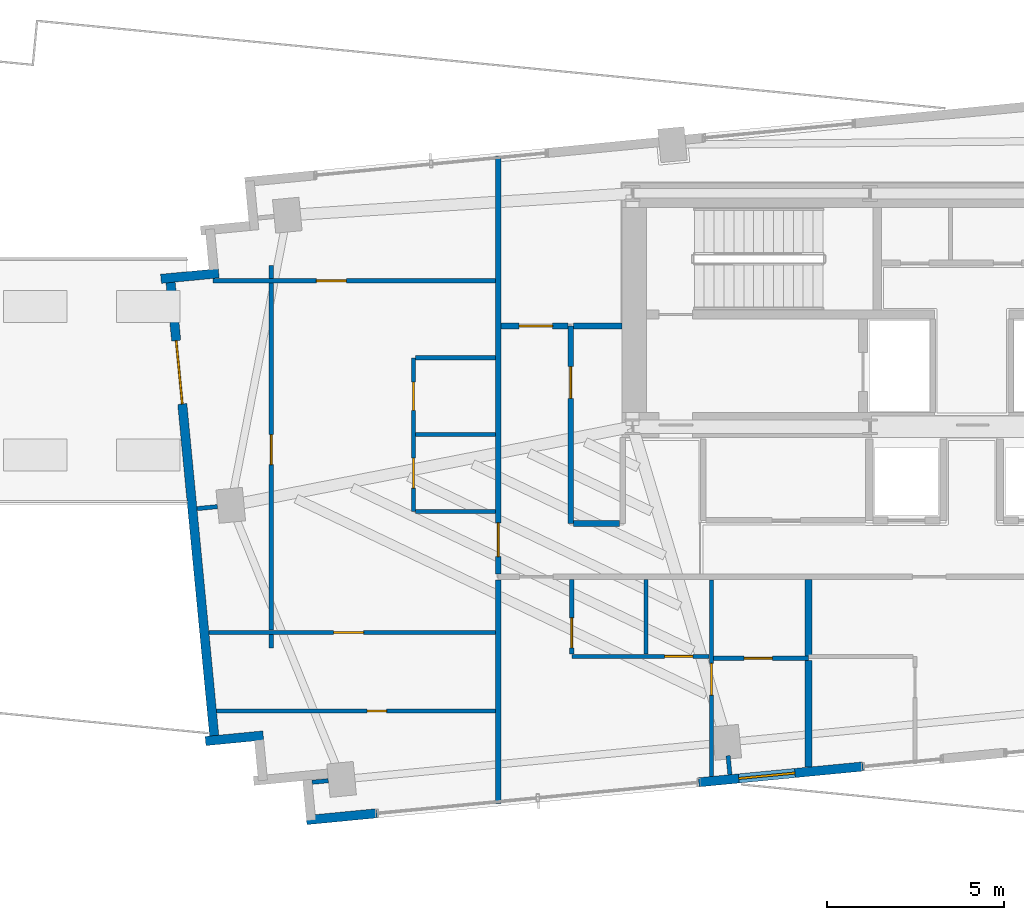
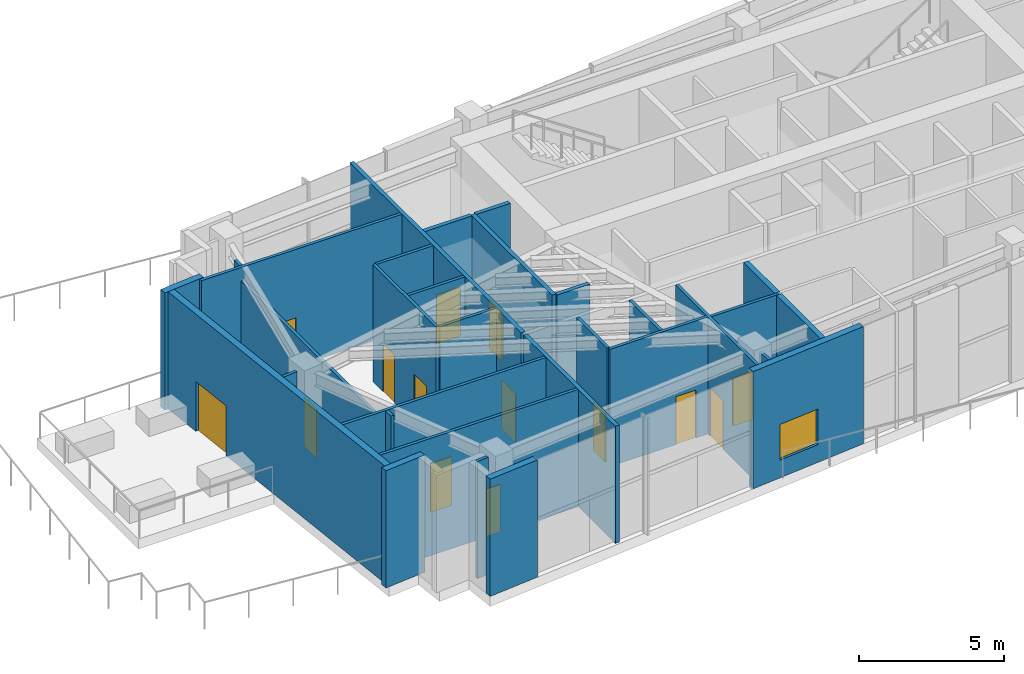
# One storey, part 14 of 21: 31 walls, 14 doors, 1 window, 15 openings.
"""IFC4 building model written with IfcOpenShell, lengths in metres."""

from ifc_helpers import new_model, si_unit, direction, frame, frame_2d, origin, place, context, subcontext, project, spatial, rectangle, extrude, source, transform, mapped, material, layer, layer_set, type_object, type_shapes, element, fill, save


model = new_model("IFC4")

# Units and contexts
model_context = context("Model", 3, precision=1e-05, world=origin(), true_north=direction((0.0, 1.0)))
body_context = subcontext(model_context, "Body", "Model", "MODEL_VIEW")
ifc_project = project(units=[si_unit("LENGTHUNIT", "METRE"), si_unit("AREAUNIT", "SQUARE_METRE"), si_unit("VOLUMEUNIT", "CUBIC_METRE"), si_unit("PLANEANGLEUNIT", "RADIAN"), si_unit("MASSUNIT", "GRAM", prefix="KILO")], contexts=[model_context])

# Site, building, storey
site_placement = place(None, origin())
site = spatial("IfcSite", under=ifc_project, at=site_placement, CompositionType="ELEMENT")
building_placement = place(site_placement, origin())
building = spatial("IfcBuilding", under=site, at=building_placement, Name="Astriad Promenade Condominiums", CompositionType="ELEMENT")
storey_placement = place(building_placement, frame((0.0, 0.0, 167.800048828125)))
storey = spatial("IfcBuildingStorey", under=building, at=storey_placement, Name="L48", CompositionType="ELEMENT", Elevation=167.800048828125)

# Wall
ifc_material_1 = material(Name="Fire-Rated Gypsum Partition")
ifc_layer_1 = layer(ifc_material_1, 0.159912109375)
ifc_layer_set_1 = layer_set([ifc_layer_1], Name="Fire-Rated Gypsum Partition")
wall_type_1 = type_object("IfcWallType", Name="WALL-CORR-160", PredefinedType="PARTITIONING", material=ifc_layer_set_1)
wall_1_placement = place(storey_placement, frame((22.60009765625, 6.739501953125, 0.0), z_axis=(0.0, 0.0, 1.0), x_axis=(0.0, 1.0, 0.0)))
element("IfcWall", 1, at=wall_1_placement, inside=storey, type_object=wall_type_1, Name="PT-COR-W-L48", PredefinedType="PARTITIONING", context=body_context, shape_type="SweptSolid", body=[
    extrude(rectangle(XDim=6.32861328125, YDim=0.159912109375, at=frame_2d((3.164306640625, 0.0))), origin(), (0.0, 0.0, 1.0), 4.93994140625),
])

# Wall, opening, door
wall_2_placement = place(storey_placement, frame((22.60009765625, 13.23193359375, 0.0), z_axis=(0.0, 0.0, 1.0), x_axis=(0.0, 1.0, 0.0)))
wall_2 = element("IfcWall", 2, at=wall_2_placement, inside=storey, type_object=wall_type_1, Name="PT-COR-W-L48-S2", PredefinedType="PARTITIONING", context=body_context, shape_type="SweptSolid", body=[
    extrude(rectangle(XDim=11.831787109375, YDim=0.159912109375, at=frame_2d((5.916015625, 0.0))), origin(), (0.0, 0.0, 1.0), 4.93994140625),
])
opening_1_placement = place(wall_2_placement, frame((0.492919921875, 0.0, 0.0)))
opening_1 = element("IfcOpeningElement", 3, at=opening_1_placement, cuts=wall_2, Name="Opening FD60-APT-095", PredefinedType="OPENING", context=body_context, shape_type="SweptSolid", body=[
    extrude(rectangle(XDim=0.949951171875, YDim=2.06005859375, at=frame_2d((0.47509765625, 1.030029296875))), frame((0.0, 0.08984375, 0.0), z_axis=(0.0, -1.0, 0.0), x_axis=(1.0, 0.0, 0.0)), (0.0, 0.0, 1.0), 0.179931640625),
])
ifc_material_2 = material(Name="Solid-Core Acoustic Timber Residence Entry Door", Category="wood")
door_type_1 = type_object("IfcDoorType", Name="FD60-APT-095", OperationType="NOTDEFINED", PredefinedType="DOOR", material=ifc_material_2)
shared_shape_1 = source(origin(), body_context, "Body", "SweptSolid", [
    extrude(rectangle(XDim=0.949951171875, YDim=2.06005859375, at=frame_2d((0.47509765625, 1.030029296875))), frame((0.0, 0.02490234375, 0.0), z_axis=(0.0, -1.0, 0.0), x_axis=(1.0, 0.0, 0.0)), (0.0, 0.0, 1.0), 0.050048828125),
])
type_shapes(door_type_1, [shared_shape_1])
door_1_placement = place(opening_1_placement, origin())
door_1 = element("IfcDoor", 4, at=door_1_placement, inside=storey, type_object=door_type_1, Name="D-ENT-L48-W1", OperationType="SINGLE_SWING_RIGHT", OverallHeight=2.06005859375, OverallWidth=0.949951171875, PredefinedType="DOOR", context=body_context, shape_type="MappedRepresentation", body=[
    mapped(shared_shape_1, transform((0.0, 0.0, 0.0), scale=1.0)),
])
fill(opening_1, door_1)

wall_3_placement = place(storey_placement, frame((24.64990234375, 14.659912109375, 0.0), z_axis=(0.0, 0.0, 1.0), x_axis=(0.0, 1.0, 0.0)))
wall_3 = element("IfcWall", 5, at=wall_3_placement, inside=storey, type_object=wall_type_1, Name="PT-HK-E-L48", PredefinedType="PARTITIONING", context=body_context, shape_type="SweptSolid", body=[
    extrude(rectangle(XDim=5.590087890625, YDim=0.159912109375, at=frame_2d((2.794921875, 0.0))), origin(), (0.0, 0.0, 1.0), 4.93994140625),
])
opening_2_placement = place(wall_3_placement, frame((3.5400390625, 0.0, 0.0)))
opening_2 = element("IfcOpeningElement", 6, at=opening_2_placement, cuts=wall_3, Name="Opening D-INT-090", PredefinedType="OPENING", context=body_context, shape_type="SweptSolid", body=[
    extrude(rectangle(XDim=0.89990234375, YDim=2.050048828125, at=frame_2d((0.449951171875, 1.02490234375))), frame((0.0, 0.08984375, 0.0), z_axis=(0.0, -1.0, 0.0), x_axis=(1.0, 0.0, 0.0)), (0.0, 0.0, 1.0), 0.179931640625),
])
ifc_material_3 = material(Name="Painted Solid-Core Timber Bedroom Door", Category="wood")
door_type_2 = type_object("IfcDoorType", Name="D-INT-090", OperationType="NOTDEFINED", PredefinedType="DOOR", material=ifc_material_3)
shared_shape_2 = source(origin(), body_context, "Body", "SweptSolid", [
    extrude(rectangle(XDim=0.89990234375, YDim=2.050048828125, at=frame_2d((0.449951171875, 1.02490234375))), frame((0.0, 0.02490234375, 0.0), z_axis=(0.0, -1.0, 0.0), x_axis=(1.0, 0.0, 0.0)), (0.0, 0.0, 1.0), 0.050048828125),
])
type_shapes(door_type_2, [shared_shape_2])
door_2_placement = place(opening_2_placement, origin())
door_2 = element("IfcDoor", 7, at=door_2_placement, inside=storey, type_object=door_type_2, Name="D-AWC-L48", OperationType="SINGLE_SWING_RIGHT", OverallHeight=2.050048828125, OverallWidth=0.89990234375, PredefinedType="DOOR", context=body_context, shape_type="MappedRepresentation", body=[
    mapped(shared_shape_2, transform((0.0, 0.0, 0.0), scale=1.0)),
])
fill(opening_2, door_2)

wall_4_placement = place(storey_placement, frame((22.681884765625, 20.25, 0.0), z_axis=(0.0, 0.0, 1.0), x_axis=(1.0, 0.0, 0.0)))
wall_4 = element("IfcWall", 8, at=wall_4_placement, inside=storey, type_object=wall_type_1, Name="PT-HK-N-L48", PredefinedType="PARTITIONING", context=body_context, shape_type="SweptSolid", body=[
    extrude(rectangle(XDim=1.88623046875, YDim=0.159912109375, at=frame_2d((0.943115234375, 0.0))), origin(), (0.0, 0.0, 1.0), 4.93994140625),
])
opening_3_placement = place(wall_4_placement, frame((0.508056640625, 0.0, 0.0)))
opening_3 = element("IfcOpeningElement", 9, at=opening_3_placement, cuts=wall_4, Name="Opening FD60-APT-095", PredefinedType="OPENING", context=body_context, shape_type="SweptSolid", body=[
    extrude(rectangle(XDim=0.949951171875, YDim=2.06005859375, at=frame_2d((0.47509765625, 1.030029296875))), frame((0.0, 0.08984375, 0.0), z_axis=(0.0, -1.0, 0.0), x_axis=(1.0, 0.0, 0.0)), (0.0, 0.0, 1.0), 0.179931640625),
])
door_3_placement = place(opening_3_placement, origin())
door_3 = element("IfcDoor", 10, at=door_3_placement, inside=storey, type_object=door_type_1, Name="D-HKB-L48", OperationType="SINGLE_SWING_LEFT", OverallHeight=2.06005859375, OverallWidth=0.949951171875, PredefinedType="DOOR", context=body_context, shape_type="MappedRepresentation", body=[
    mapped(shared_shape_1, transform((0.0, 0.0, 0.0), scale=1.0)),
])
fill(opening_3, door_3)

# Walls
wall_5_placement = place(storey_placement, frame((24.73193359375, 20.25, 0.0), z_axis=(0.0, 0.0, 1.0), x_axis=(1.0, 0.0, 0.0)))
element("IfcWall", 11, at=wall_5_placement, inside=storey, type_object=wall_type_1, Name="PT-HK-N-L48-S2", PredefinedType="PARTITIONING", context=body_context, shape_type="SweptSolid", body=[
    extrude(rectangle(XDim=1.365966796875, YDim=0.159912109375, at=frame_2d((0.68310546875, 0.0))), origin(), (0.0, 0.0, 1.0), 4.93994140625),
])
wall_6_placement = place(storey_placement, frame((24.73193359375, 14.659912109375, 0.0), z_axis=(0.0, 0.0, 1.0), x_axis=(1.0, 0.0, 0.0)))
element("IfcWall", 12, at=wall_6_placement, inside=storey, type_object=wall_type_1, Name="PT-HK-S-L48", PredefinedType="PARTITIONING", context=body_context, shape_type="SweptSolid", body=[
    extrude(rectangle(XDim=1.30615234375, YDim=0.159912109375, at=frame_2d((0.653076171875, 0.0))), origin(), (0.0, 0.0, 1.0), 4.93994140625),
])
ifc_material_4 = material(Name="Acoustic Double-Stud Gypsum Partition")
ifc_layer_2 = layer(ifc_material_4, 0.199951171875)
ifc_layer_set_2 = layer_set([ifc_layer_2], Name="Acoustic Double-Stud Gypsum Partition")
wall_type_2 = type_object("IfcWallType", Name="WALL-DEMISING-200", PredefinedType="PARTITIONING", material=ifc_layer_set_2)
wall_7_placement = place(storey_placement, frame((31.384033203125, 7.76806640625, 0.0), z_axis=(0.0, 0.0, 1.0), x_axis=(0.0, 1.0, 0.0)))
element("IfcWall", 13, at=wall_7_placement, inside=storey, type_object=wall_type_2, Name="PT-DEM-S1-L48", PredefinedType="PARTITIONING", context=body_context, shape_type="SweptSolid", body=[
    extrude(rectangle(XDim=3.02001953125, YDim=0.199951171875, at=frame_2d((1.510009765625, 0.0))), origin(), (0.0, 0.0, 1.0), 4.93994140625),
])
wall_8_placement = place(storey_placement, frame((31.384033203125, 10.912109375, 0.0), z_axis=(0.0, 0.0, 1.0), x_axis=(0.0, 1.0, 0.0)))
element("IfcWall", 14, at=wall_8_placement, inside=storey, type_object=wall_type_2, Name="PT-DEM-S1-L48-S2", PredefinedType="PARTITIONING", context=body_context, shape_type="SweptSolid", body=[
    extrude(rectangle(XDim=2.156005859375, YDim=0.199951171875, at=frame_2d((1.078125, 0.0))), origin(), (0.0, 0.0, 1.0), 4.93994140625),
])
ifc_material_5 = material(Name="Precast concrete C50/60", Category="concrete")
ifc_layer_3 = layer(ifc_material_5, 0.260009765625)
ifc_layer_set_3 = layer_set([ifc_layer_3], Name="Precast concrete C50/60")
wall_type_3 = type_object("IfcWallType", Name="WALL-EXT-TWR-260", PredefinedType="STANDARD", material=ifc_layer_set_3)
wall_9_placement = place(storey_placement, frame((15.9501953125, 8.660888671875, 0.0), z_axis=(0.0, 0.0, 1.0), x_axis=(-0.995394563142, -0.095862733462, 0.0)))
element("IfcWall", 15, at=wall_9_placement, inside=storey, type_object=wall_type_3, Name="W-SER-L48-02", PredefinedType="STANDARD", context=body_context, shape_type="SweptSolid", body=[
    extrude(rectangle(XDim=1.64013671875, YDim=0.260009765625, at=frame_2d((0.820068359375, 0.0))), origin(), (0.0, 0.0, 1.0), 4.93994140625),
])

# Wall, opening, door
wall_10_placement = place(storey_placement, frame((14.589111328125, 8.3994140625, 0.0), z_axis=(0.0, 0.0, 1.0), x_axis=(-0.095853703289, 0.995395432763, 0.0)))
wall_10 = element("IfcWall", 16, at=wall_10_placement, inside=storey, type_object=wall_type_3, Name="W-SG-L48-W", PredefinedType="STANDARD", context=body_context, shape_type="SweptSolid", body=[
    extrude(rectangle(XDim=13.39990234375, YDim=0.260009765625, at=frame_2d((6.699951171875, 0.0))), origin(), (0.0, 0.0, 1.0), 4.93994140625),
])
opening_4_placement = place(wall_10_placement, frame((9.68798828125, 0.0, 0.0)))
opening_4 = element("IfcOpeningElement", 17, at=opening_4_placement, cuts=wall_10, Name="Opening SGD-1823-SKY", PredefinedType="OPENING", context=body_context, shape_type="SweptSolid", body=[
    extrude(rectangle(XDim=1.800048828125, YDim=2.10009765625, at=frame_2d((0.89990234375, 1.050048828125))), frame((0.0, 0.139892578125, 0.0), z_axis=(0.0, -1.0, 0.0), x_axis=(1.0, 0.0, 0.0)), (0.0, 0.0, 1.0), 0.280029296875),
])
ifc_material_6 = material(Name="Thermally Broken Aluminium Sky-Garden Door", Category="aluminium")
door_type_3 = type_object("IfcDoorType", Name="SGD-1823-SKY", OperationType="NOTDEFINED", PredefinedType="DOOR", material=ifc_material_6)
shared_shape_3 = source(origin(), body_context, "Body", "SweptSolid", [
    extrude(rectangle(XDim=1.800048828125, YDim=2.10009765625, at=frame_2d((0.89990234375, 1.050048828125))), frame((0.0, 0.02490234375, 0.0), z_axis=(0.0, -1.0, 0.0), x_axis=(1.0, 0.0, 0.0)), (0.0, 0.0, 1.0), 0.050048828125),
])
type_shapes(door_type_3, [shared_shape_3])
door_4_placement = place(opening_4_placement, origin())
door_4 = element("IfcDoor", 18, at=door_4_placement, inside=storey, type_object=door_type_3, Name="SGD-L48", OperationType="DOUBLE_DOOR_SINGLE_SWING", OverallHeight=2.10009765625, OverallWidth=1.800048828125, PredefinedType="DOOR", context=body_context, shape_type="MappedRepresentation", body=[
    mapped(shared_shape_3, transform((0.0, 0.0, 0.0), scale=1.0)),
])
fill(opening_4, door_4)

# Wall
wall_11_placement = place(storey_placement, frame((13.058349609375, 21.583251953125, 0.0), z_axis=(0.0, 0.0, 1.0), x_axis=(0.995394563142, 0.095862733462, 0.0)))
element("IfcWall", 19, at=wall_11_placement, inside=storey, type_object=wall_type_3, Name="W-SER-L48-04", PredefinedType="STANDARD", context=body_context, shape_type="SweptSolid", body=[
    extrude(rectangle(XDim=1.64013671875, YDim=0.260009765625, at=frame_2d((0.820068359375, 0.0))), origin(), (0.0, 0.0, 1.0), 4.93994140625),
])

# Wall, opening, window
wall_12_placement = place(storey_placement, frame((32.92236328125, 7.78369140625, 0.0), z_axis=(0.0, 0.0, 1.0), x_axis=(-0.995393403839, -0.095874770371, 0.0)))
wall_12 = element("IfcWall", 20, at=wall_12_placement, inside=storey, type_object=wall_type_3, Name="W-SGCOL-L48-S-5", PredefinedType="STANDARD", context=body_context, shape_type="SweptSolid", body=[
    extrude(rectangle(XDim=4.670166015625, YDim=0.260009765625, at=frame_2d((2.3349609375, 0.0))), origin(), (0.0, 0.0, 1.0), 4.93994140625),
])
opening_5_placement = place(wall_12_placement, frame((1.93310546875, 0.0, 0.75)))
opening_5 = element("IfcOpeningElement", 21, at=opening_5_placement, cuts=wall_12, Name="Opening WIN-TWR-1620", PredefinedType="OPENING", context=body_context, shape_type="SweptSolid", body=[
    extrude(rectangle(XDim=1.60009765625, YDim=1.5, at=frame_2d((0.800048828125, 0.75))), frame((0.0, 0.139892578125, 0.0), z_axis=(0.0, -1.0, 0.0), x_axis=(1.0, 0.0, 0.0)), (0.0, 0.0, 1.0), 0.280029296875),
])
ifc_material_7 = material(Name="Dark Tinted Triple-Glazed Aluminium Window", Category="aluminium")
window_type = type_object("IfcWindowType", Name="WIN-TWR-1620", PartitioningType="SINGLE_PANEL", PredefinedType="WINDOW", material=ifc_material_7)
shared_shape_4 = source(origin(), body_context, "Body", "SweptSolid", [
    extrude(rectangle(XDim=1.60009765625, YDim=1.5, at=frame_2d((0.800048828125, 0.75))), frame((0.0, 0.030029296875, 0.0), z_axis=(0.0, -1.0, 0.0), x_axis=(1.0, 0.0, 0.0)), (0.0, 0.0, 1.0), 0.06005859375),
])
type_shapes(window_type, [shared_shape_4])
window_placement = place(opening_5_placement, origin())
window = element("IfcWindow", 22, at=window_placement, inside=storey, type_object=window_type, Name="WIN-DW-L48-S1-BD1", OverallHeight=1.5, OverallWidth=1.60009765625, PartitioningType="SINGLE_PANEL", PredefinedType="WINDOW", context=body_context, shape_type="MappedRepresentation", body=[
    mapped(shared_shape_4, transform((0.0, 0.0, 0.0), scale=1.0)),
])
fill(opening_5, window)

# Wall
wall_13_placement = place(storey_placement, frame((19.166015625, 6.458984375, 0.0), z_axis=(0.0, 0.0, 1.0), x_axis=(-0.995397839199, -0.095828710298, 0.0)))
element("IfcWall", 23, at=wall_13_placement, inside=storey, type_object=wall_type_3, Name="W-SGCOL-L48-S-6", PredefinedType="STANDARD", context=body_context, shape_type="SweptSolid", body=[
    extrude(rectangle(XDim=2.0, YDim=0.260009765625, at=frame_2d((1.0, 0.0))), origin(), (0.0, 0.0, 1.0), 4.93994140625),
])

# Wall, opening, door
ifc_material_8 = material(Name="Acoustic Metal-Stud Gypsum Partition")
ifc_layer_4 = layer(ifc_material_8, 0.1201171875)
ifc_layer_set_4 = layer_set([ifc_layer_4], Name="Acoustic Metal-Stud Gypsum Partition")
wall_type_4 = type_object("IfcWallType", Name="WALL-PART-120", PredefinedType="PARTITIONING", material=ifc_layer_set_4)
wall_14_placement = place(storey_placement, frame((28.634033203125, 7.50341796875, 0.0), z_axis=(0.0, 0.0, 1.0), x_axis=(0.0, 1.0, 0.0)))
wall_14 = element("IfcWall", 24, at=wall_14_placement, inside=storey, type_object=wall_type_4, Name="PT-L48-S1-BD1", PredefinedType="PARTITIONING", context=body_context, shape_type="SweptSolid", body=[
    extrude(rectangle(XDim=5.564697265625, YDim=0.1201171875, at=frame_2d((2.7822265625, 0.0))), origin(), (0.0, 0.0, 1.0), 4.93994140625),
])
opening_6_placement = place(wall_14_placement, frame((2.296630859375, 0.0, 0.0)))
opening_6 = element("IfcOpeningElement", 25, at=opening_6_placement, cuts=wall_14, Name="Opening D-INT-090", PredefinedType="OPENING", context=body_context, shape_type="SweptSolid", body=[
    extrude(rectangle(XDim=0.89990234375, YDim=2.050048828125, at=frame_2d((0.449951171875, 1.02490234375))), frame((0.0, 0.070068359375, 0.0), z_axis=(0.0, -1.0, 0.0), x_axis=(1.0, 0.0, 0.0)), (0.0, 0.0, 1.0), 0.14013671875),
])
door_5_placement = place(opening_6_placement, origin())
door_5 = element("IfcDoor", 26, at=door_5_placement, inside=storey, type_object=door_type_2, Name="D-BD1-L48-S1", OperationType="SINGLE_SWING_RIGHT", OverallHeight=2.050048828125, OverallWidth=0.89990234375, PredefinedType="DOOR", context=body_context, shape_type="MappedRepresentation", body=[
    mapped(shared_shape_2, transform((0.0, 0.0, 0.0), scale=1.0)),
])
fill(opening_6, door_5)

wall_15_placement = place(storey_placement, frame((24.68408203125, 10.89990234375, 0.0), z_axis=(0.0, 0.0, 1.0), x_axis=(1.0, 0.0, 0.0)))
wall_15 = element("IfcWall", 27, at=wall_15_placement, inside=storey, type_object=wall_type_4, Name="PT-L48-S1-PS", PredefinedType="PARTITIONING", context=body_context, shape_type="SweptSolid", body=[
    extrude(rectangle(XDim=3.887939453125, YDim=0.1201171875, at=frame_2d((1.94384765625, 0.0))), origin(), (0.0, 0.0, 1.0), 4.93994140625),
])
opening_7_placement = place(wall_15_placement, frame((2.625, 0.0, 0.0)))
opening_7 = element("IfcOpeningElement", 28, at=opening_7_placement, cuts=wall_15, Name="Opening D-WET-080", PredefinedType="OPENING", context=body_context, shape_type="SweptSolid", body=[
    extrude(rectangle(XDim=0.800048828125, YDim=2.02001953125, at=frame_2d((0.39990234375, 1.010009765625))), frame((0.0, 0.070068359375, 0.0), z_axis=(0.0, -1.0, 0.0), x_axis=(1.0, 0.0, 0.0)), (0.0, 0.0, 1.0), 0.14013671875),
])
ifc_material_9 = material(Name="Moisture-Resistant Timber Bathroom Door", Category="wood")
door_type_4 = type_object("IfcDoorType", Name="D-WET-080", OperationType="NOTDEFINED", PredefinedType="DOOR", material=ifc_material_9)
shared_shape_5 = source(origin(), body_context, "Body", "SweptSolid", [
    extrude(rectangle(XDim=0.800048828125, YDim=2.02001953125, at=frame_2d((0.39990234375, 1.010009765625))), frame((0.0, 0.02490234375, 0.0), z_axis=(0.0, -1.0, 0.0), x_axis=(1.0, 0.0, 0.0)), (0.0, 0.0, 1.0), 0.050048828125),
])
type_shapes(door_type_4, [shared_shape_5])
door_6_placement = place(opening_7_placement, origin())
door_6 = element("IfcDoor", 29, at=door_6_placement, inside=storey, type_object=door_type_4, Name="D-BTH-L48-S1", OperationType="SINGLE_SWING_RIGHT", OverallHeight=2.02001953125, OverallWidth=0.800048828125, PredefinedType="DOOR", context=body_context, shape_type="MappedRepresentation", body=[
    mapped(shared_shape_5, transform((0.0, 0.0, 0.0), scale=1.0)),
])
fill(opening_7, door_6)

# Wall
wall_16_placement = place(storey_placement, frame((26.783935546875, 10.9619140625, 0.0), z_axis=(0.0, 0.0, 1.0), x_axis=(0.0, 1.0, 0.0)))
element("IfcWall", 30, at=wall_16_placement, inside=storey, type_object=wall_type_4, Name="PT-L48-S1-PBK", PredefinedType="PARTITIONING", context=body_context, shape_type="SweptSolid", body=[
    extrude(rectangle(XDim=2.106201171875, YDim=0.1201171875, at=frame_2d((1.05322265625, 0.0))), origin(), (0.0, 0.0, 1.0), 4.93994140625),
])

# Wall, opening, door
wall_17_placement = place(storey_placement, frame((24.68408203125, 10.9619140625, 0.0), z_axis=(0.0, 0.0, 1.0), x_axis=(0.0, 1.0, 0.0)))
wall_17 = element("IfcWall", 31, at=wall_17_placement, inside=storey, type_object=wall_type_4, Name="PT-L48-S1-PKW", PredefinedType="PARTITIONING", context=body_context, shape_type="SweptSolid", body=[
    extrude(rectangle(XDim=2.106201171875, YDim=0.1201171875, at=frame_2d((1.05322265625, 0.0))), origin(), (0.0, 0.0, 1.0), 4.93994140625),
])
opening_8_placement = place(wall_17_placement, frame((0.179931640625, 0.0, 0.0)))
opening_8 = element("IfcOpeningElement", 32, at=opening_8_placement, cuts=wall_17, Name="Opening D-INT-085", PredefinedType="OPENING", context=body_context, shape_type="SweptSolid", body=[
    extrude(rectangle(XDim=0.85009765625, YDim=2.050048828125, at=frame_2d((0.425048828125, 1.02490234375))), frame((0.0, 0.070068359375, 0.0), z_axis=(0.0, -1.0, 0.0), x_axis=(1.0, 0.0, 0.0)), (0.0, 0.0, 1.0), 0.14013671875),
])
ifc_material_10 = material(Name="Painted Solid-Core Timber Room Door", Category="wood")
door_type_5 = type_object("IfcDoorType", Name="D-INT-085", OperationType="NOTDEFINED", PredefinedType="DOOR", material=ifc_material_10)
shared_shape_6 = source(origin(), body_context, "Body", "SweptSolid", [
    extrude(rectangle(XDim=0.85009765625, YDim=2.050048828125, at=frame_2d((0.425048828125, 1.02490234375))), frame((0.0, 0.02490234375, 0.0), z_axis=(0.0, -1.0, 0.0), x_axis=(1.0, 0.0, 0.0)), (0.0, 0.0, 1.0), 0.050048828125),
])
type_shapes(door_type_5, [shared_shape_6])
door_7_placement = place(opening_8_placement, origin())
door_7 = element("IfcDoor", 33, at=door_7_placement, inside=storey, type_object=door_type_5, Name="D-KIT-L48-S1", OperationType="SINGLE_SWING_LEFT", OverallHeight=2.050048828125, OverallWidth=0.85009765625, PredefinedType="DOOR", context=body_context, shape_type="MappedRepresentation", body=[
    mapped(shared_shape_6, transform((0.0, 0.0, 0.0), scale=1.0)),
])
fill(opening_8, door_7)

wall_18_placement = place(storey_placement, frame((28.696044921875, 10.85009765625, 0.0), z_axis=(0.0, 0.0, 1.0), x_axis=(1.0, 0.0, 0.0)))
wall_18 = element("IfcWall", 34, at=wall_18_placement, inside=storey, type_object=wall_type_4, Name="PT-L48-S1-ENS", PredefinedType="PARTITIONING", context=body_context, shape_type="SweptSolid", body=[
    extrude(rectangle(XDim=2.68798828125, YDim=0.1201171875, at=frame_2d((1.343994140625, 0.0))), origin(), (0.0, 0.0, 1.0), 4.93994140625),
])
opening_9_placement = place(wall_18_placement, frame((0.863037109375, 0.0, 0.0)))
opening_9 = element("IfcOpeningElement", 35, at=opening_9_placement, cuts=wall_18, Name="Opening D-WET-080", PredefinedType="OPENING", context=body_context, shape_type="SweptSolid", body=[
    extrude(rectangle(XDim=0.800048828125, YDim=2.02001953125, at=frame_2d((0.39990234375, 1.010009765625))), frame((0.0, 0.070068359375, 0.0), z_axis=(0.0, -1.0, 0.0), x_axis=(1.0, 0.0, 0.0)), (0.0, 0.0, 1.0), 0.14013671875),
])
door_8_placement = place(opening_9_placement, origin())
door_8 = element("IfcDoor", 36, at=door_8_placement, inside=storey, type_object=door_type_4, Name="D-ENS-L48-S1", OperationType="SINGLE_SWING_RIGHT", OverallHeight=2.02001953125, OverallWidth=0.800048828125, PredefinedType="DOOR", context=body_context, shape_type="MappedRepresentation", body=[
    mapped(shared_shape_5, transform((0.0, 0.0, 0.0), scale=1.0)),
])
fill(opening_9, door_8)

# Wall, openings, doors
wall_19_placement = place(storey_placement, frame((20.199951171875, 15.0, 0.0), z_axis=(0.0, 0.0, 1.0), x_axis=(0.0, 1.0, 0.0)))
wall_19 = element("IfcWall", 37, at=wall_19_placement, inside=storey, type_object=wall_type_4, Name="PT-L48-W1-PV", PredefinedType="PARTITIONING", context=body_context, shape_type="SweptSolid", body=[
    extrude(rectangle(XDim=4.35009765625, YDim=0.1201171875, at=frame_2d((2.175048828125, 0.0))), origin(), (0.0, 0.0, 1.0), 4.93994140625),
])
opening_10_placement = place(wall_19_placement, frame((0.662109375, 0.0, 0.0)))
opening_10 = element("IfcOpeningElement", 38, at=opening_10_placement, cuts=wall_19, Name="Opening D-INT-085", PredefinedType="OPENING", context=body_context, shape_type="SweptSolid", body=[
    extrude(rectangle(XDim=0.85009765625, YDim=2.050048828125, at=frame_2d((0.425048828125, 1.02490234375))), frame((0.0, 0.070068359375, 0.0), z_axis=(0.0, -1.0, 0.0), x_axis=(1.0, 0.0, 0.0)), (0.0, 0.0, 1.0), 0.14013671875),
])
opening_11_placement = place(wall_19_placement, frame((2.863037109375, 0.0, 0.0)))
opening_11 = element("IfcOpeningElement", 39, at=opening_11_placement, cuts=wall_19, Name="Opening D-WET-080", PredefinedType="OPENING", context=body_context, shape_type="SweptSolid", body=[
    extrude(rectangle(XDim=0.800048828125, YDim=2.02001953125, at=frame_2d((0.39990234375, 1.010009765625))), frame((0.0, 0.070068359375, 0.0), z_axis=(0.0, -1.0, 0.0), x_axis=(1.0, 0.0, 0.0)), (0.0, 0.0, 1.0), 0.14013671875),
])
door_9_placement = place(opening_11_placement, origin())
door_9 = element("IfcDoor", 40, at=door_9_placement, inside=storey, type_object=door_type_4, Name="D-BTH-L48-W1", OperationType="SINGLE_SWING_RIGHT", OverallHeight=2.02001953125, OverallWidth=0.800048828125, PredefinedType="DOOR", context=body_context, shape_type="MappedRepresentation", body=[
    mapped(shared_shape_5, transform((0.0, 0.0, 0.0), scale=1.0)),
])
fill(opening_11, door_9)
door_10_placement = place(opening_10_placement, origin())
door_10 = element("IfcDoor", 41, at=door_10_placement, inside=storey, type_object=door_type_5, Name="D-KIT-L48-W1", OperationType="SINGLE_SWING_LEFT", OverallHeight=2.050048828125, OverallWidth=0.85009765625, PredefinedType="DOOR", context=body_context, shape_type="MappedRepresentation", body=[
    mapped(shared_shape_6, transform((0.0, 0.0, 0.0), scale=1.0)),
])
fill(opening_10, door_10)

# Walls
for number, where, z_axis, x_axis, name in (
    (42, (20.261962890625, 17.175048828125, 0.0), (0.0, 0.0, 1.0), (1.0, 0.0, 0.0), "PT-L48-W1-PM"),
    (43, (20.261962890625, 15.0, 0.0), (0.0, 0.0, 1.0), (1.0, 0.0, 0.0), "PT-L48-W1-PS"),
    (44, (20.261962890625, 19.35009765625, 0.0), (0.0, 0.0, 1.0), (1.0, 0.0, 0.0), "PT-L48-W1-PN"),
):
    element("IfcWall", number, at=place(storey_placement, frame(where, z_axis=z_axis, x_axis=x_axis)), inside=storey, type_object=wall_type_4, Name=name, PredefinedType="PARTITIONING", context=body_context, shape_type="SweptSolid", body=[
        extrude(rectangle(XDim=2.256103515625, YDim=0.1201171875, at=frame_2d((1.1279296875, 0.0))), origin(), (0.0, 0.0, 1.0), 4.93994140625),
    ])

# Wall, opening, door
wall_20_placement = place(storey_placement, frame((14.530029296875, 21.52587890625, 0.0), z_axis=(0.0, 0.0, 1.0), x_axis=(1.0, 0.0, 0.0)))
wall_20 = element("IfcWall", 45, at=wall_20_placement, inside=storey, type_object=wall_type_4, Name="PT-L48-W1-B1", PredefinedType="PARTITIONING", context=body_context, shape_type="SweptSolid", body=[
    extrude(rectangle(XDim=7.988037109375, YDim=0.1201171875, at=frame_2d((3.994140625, 0.0))), origin(), (0.0, 0.0, 1.0), 4.93994140625),
])
opening_12_placement = place(wall_20_placement, frame((2.925048828125, 0.0, 0.0)))
opening_12 = element("IfcOpeningElement", 46, at=opening_12_placement, cuts=wall_20, Name="Opening D-INT-085", PredefinedType="OPENING", context=body_context, shape_type="SweptSolid", body=[
    extrude(rectangle(XDim=0.85009765625, YDim=2.050048828125, at=frame_2d((0.425048828125, 1.02490234375))), frame((0.0, 0.070068359375, 0.0), z_axis=(0.0, -1.0, 0.0), x_axis=(1.0, 0.0, 0.0)), (0.0, 0.0, 1.0), 0.14013671875),
])
door_11_placement = place(opening_12_placement, origin())
door_11 = element("IfcDoor", 47, at=door_11_placement, inside=storey, type_object=door_type_5, Name="D-BD1-L48-W1", OperationType="SINGLE_SWING_LEFT", OverallHeight=2.050048828125, OverallWidth=0.85009765625, PredefinedType="DOOR", context=body_context, shape_type="MappedRepresentation", body=[
    mapped(shared_shape_6, transform((0.0, 0.0, 0.0), scale=1.0)),
])
fill(opening_12, door_11)

wall_21_placement = place(storey_placement, frame((14.6298828125, 9.35302734375, 0.0), z_axis=(0.0, 0.0, 1.0), x_axis=(1.0, 0.0, 0.0)))
wall_21 = element("IfcWall", 48, at=wall_21_placement, inside=storey, type_object=wall_type_4, Name="PT-L48-W1-B2", PredefinedType="PARTITIONING", context=body_context, shape_type="SweptSolid", body=[
    extrude(rectangle(XDim=7.88818359375, YDim=0.1201171875, at=frame_2d((3.944091796875, 0.0))), origin(), (0.0, 0.0, 1.0), 4.93994140625),
])
opening_13_placement = place(wall_21_placement, frame((4.260009765625, 0.0, 0.0)))
opening_13 = element("IfcOpeningElement", 49, at=opening_13_placement, cuts=wall_21, Name="Opening D-AC-055", PredefinedType="OPENING", context=body_context, shape_type="SweptSolid", body=[
    extrude(rectangle(XDim=0.550048828125, YDim=2.0, at=frame_2d((0.27490234375, 1.0))), frame((0.0, 0.070068359375, 0.0), z_axis=(0.0, -1.0, 0.0), x_axis=(1.0, 0.0, 0.0)), (0.0, 0.0, 1.0), 0.14013671875),
])
ifc_material_11 = material(Name="Painted Timber Access Door", Category="wood")
door_type_6 = type_object("IfcDoorType", Name="D-AC-055", OperationType="NOTDEFINED", PredefinedType="DOOR", material=ifc_material_11)
shared_shape_7 = source(origin(), body_context, "Body", "SweptSolid", [
    extrude(rectangle(XDim=0.550048828125, YDim=2.0, at=frame_2d((0.27490234375, 1.0))), frame((0.0, 0.02490234375, 0.0), z_axis=(0.0, -1.0, 0.0), x_axis=(1.0, 0.0, 0.0)), (0.0, 0.0, 1.0), 0.050048828125),
])
type_shapes(door_type_6, [shared_shape_7])
door_12_placement = place(opening_13_placement, origin())
door_12 = element("IfcDoor", 50, at=door_12_placement, inside=storey, type_object=door_type_6, Name="D-BD2-L48-W1", OperationType="SINGLE_SWING_RIGHT", OverallHeight=2.0, OverallWidth=0.550048828125, PredefinedType="DOOR", context=body_context, shape_type="MappedRepresentation", body=[
    mapped(shared_shape_7, transform((0.0, 0.0, 0.0), scale=1.0)),
])
fill(opening_13, door_12)

wall_22_placement = place(storey_placement, frame((14.41552734375, 11.577880859375, 0.0), z_axis=(0.0, 0.0, 1.0), x_axis=(1.0, 0.0, 0.0)))
wall_22 = element("IfcWall", 51, at=wall_22_placement, inside=storey, type_object=wall_type_4, Name="PT-L48-W1-WDS1", PredefinedType="PARTITIONING", context=body_context, shape_type="SweptSolid", body=[
    extrude(rectangle(XDim=8.1025390625, YDim=0.1201171875, at=frame_2d((4.05126953125, 0.0))), origin(), (0.0, 0.0, 1.0), 4.93994140625),
])
opening_14_placement = place(wall_22_placement, frame((3.528564453125, 0.0, 0.0)))
opening_14 = element("IfcOpeningElement", 52, at=opening_14_placement, cuts=wall_22, Name="Opening D-INT-085", PredefinedType="OPENING", context=body_context, shape_type="SweptSolid", body=[
    extrude(rectangle(XDim=0.85009765625, YDim=2.050048828125, at=frame_2d((0.425048828125, 1.02490234375))), frame((0.0, 0.070068359375, 0.0), z_axis=(0.0, -1.0, 0.0), x_axis=(1.0, 0.0, 0.0)), (0.0, 0.0, 1.0), 0.14013671875),
])
door_13_placement = place(opening_14_placement, origin())
door_13 = element("IfcDoor", 53, at=door_13_placement, inside=storey, type_object=door_type_5, Name="D-WDS1-L48-W1", OperationType="SINGLE_SWING_LEFT", OverallHeight=2.050048828125, OverallWidth=0.85009765625, PredefinedType="DOOR", context=body_context, shape_type="MappedRepresentation", body=[
    mapped(shared_shape_6, transform((0.0, 0.0, 0.0), scale=1.0)),
])
fill(opening_14, door_13)

# Wall
wall_23_placement = place(storey_placement, frame((16.175048828125, 11.137939453125, 0.0), z_axis=(0.0, 0.0, 1.0), x_axis=(0.0, 1.0, 0.0)))
element("IfcWall", 54, at=wall_23_placement, inside=storey, type_object=wall_type_4, Name="PT-L48-W1-WDV2", PredefinedType="PARTITIONING", context=body_context, shape_type="SweptSolid", body=[
    extrude(rectangle(XDim=0.378173828125, YDim=0.1201171875, at=frame_2d((0.18896484375, 0.0))), origin(), (0.0, 0.0, 1.0), 4.93994140625),
])

# Wall, opening, door
wall_24_placement = place(storey_placement, frame((16.175048828125, 11.639892578125, 0.0), z_axis=(0.0, 0.0, 1.0), x_axis=(0.0, 1.0, 0.0)))
wall_24 = element("IfcWall", 55, at=wall_24_placement, inside=storey, type_object=wall_type_4, Name="PT-L48-W1-WDV2-S2", PredefinedType="PARTITIONING", context=body_context, shape_type="SweptSolid", body=[
    extrude(rectangle(XDim=9.82421875, YDim=0.1201171875, at=frame_2d((4.912109375, 0.0))), origin(), (0.0, 0.0, 1.0), 4.382568359375),
])
opening_15_placement = place(wall_24_placement, frame((4.68701171875, 0.0, 0.0)))
opening_15 = element("IfcOpeningElement", 56, at=opening_15_placement, cuts=wall_24, Name="Opening D-INT-085", PredefinedType="OPENING", context=body_context, shape_type="SweptSolid", body=[
    extrude(rectangle(XDim=0.85009765625, YDim=2.050048828125, at=frame_2d((0.425048828125, 1.02490234375))), frame((0.0, 0.070068359375, 0.0), z_axis=(0.0, -1.0, 0.0), x_axis=(1.0, 0.0, 0.0)), (0.0, 0.0, 1.0), 0.14013671875),
])
door_14_placement = place(opening_15_placement, origin())
door_14 = element("IfcDoor", 57, at=door_14_placement, inside=storey, type_object=door_type_5, Name="D-WDV2-L48-W1", OperationType="SINGLE_SWING_RIGHT", OverallHeight=2.050048828125, OverallWidth=0.85009765625, PredefinedType="DOOR", context=body_context, shape_type="MappedRepresentation", body=[
    mapped(shared_shape_6, transform((0.0, 0.0, 0.0), scale=1.0)),
])
fill(opening_15, door_14)

# Walls
wall_25_placement = place(storey_placement, frame((16.175048828125, 21.587890625, 0.0), z_axis=(0.0, 0.0, 1.0), x_axis=(0.0, 1.0, 0.0)))
element("IfcWall", 58, at=wall_25_placement, inside=storey, type_object=wall_type_4, Name="PT-L48-W1-WDV2-S3", PredefinedType="PARTITIONING", context=body_context, shape_type="SweptSolid", body=[
    extrude(rectangle(XDim=0.378173828125, YDim=0.1201171875, at=frame_2d((0.18896484375, 0.0))), origin(), (0.0, 0.0, 1.0), 4.93994140625),
])
wall_26_placement = place(storey_placement, frame((17.791259765625, 7.381591796875, 0.0), z_axis=(0.0, 0.0, 1.0), x_axis=(-0.995384576284, -0.09596637586, 0.0)))
element("IfcWall", 59, at=wall_26_placement, inside=storey, type_object=wall_type_4, Name="PT-PIL-L48-PC01-8", PredefinedType="PARTITIONING", context=body_context, shape_type="SweptSolid", body=[
    extrude(rectangle(XDim=0.4580078125, YDim=0.1201171875, at=frame_2d((0.22900390625, 0.0))), origin(), (0.0, 0.0, 1.0), 4.93994140625),
])
wall_27_placement = place(storey_placement, frame((29.10546875, 8.089111328125, 0.0), z_axis=(0.0, 0.0, 1.0), x_axis=(0.095772948675, -0.995403205893, 0.0)))
element("IfcWall", 60, at=wall_27_placement, inside=storey, type_object=wall_type_4, Name="PT-PIL-L48-PC02-9", PredefinedType="PARTITIONING", context=body_context, shape_type="SweptSolid", body=[
    extrude(rectangle(XDim=0.537841796875, YDim=0.1201171875, at=frame_2d((0.26904296875, 0.0))), origin(), (0.0, 0.0, 1.0), 4.93994140625),
])
wall_28_placement = place(storey_placement, frame((14.653564453125, 15.136474609375, 0.0), z_axis=(0.0, 0.0, 1.0), x_axis=(-0.995394316061, -0.095865299001, 0.0)))
element("IfcWall", 61, at=wall_28_placement, inside=storey, type_object=wall_type_4, Name="PT-PIL-L48-PC11-18", PredefinedType="PARTITIONING", context=body_context, shape_type="SweptSolid", body=[
    extrude(rectangle(XDim=0.578125, YDim=0.1201171875, at=frame_2d((0.2890625, 0.0))), origin(), (0.0, 0.0, 1.0), 4.93994140625),
])

save(model, "model.ifc")
